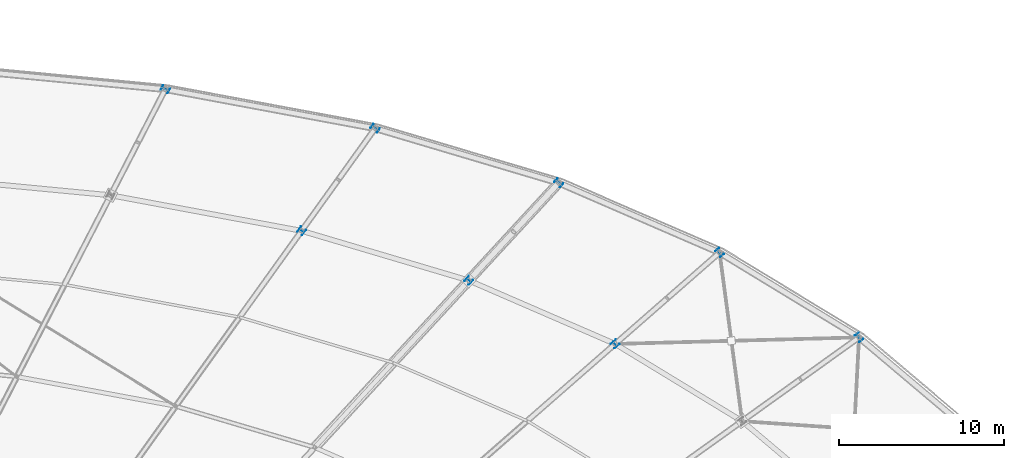
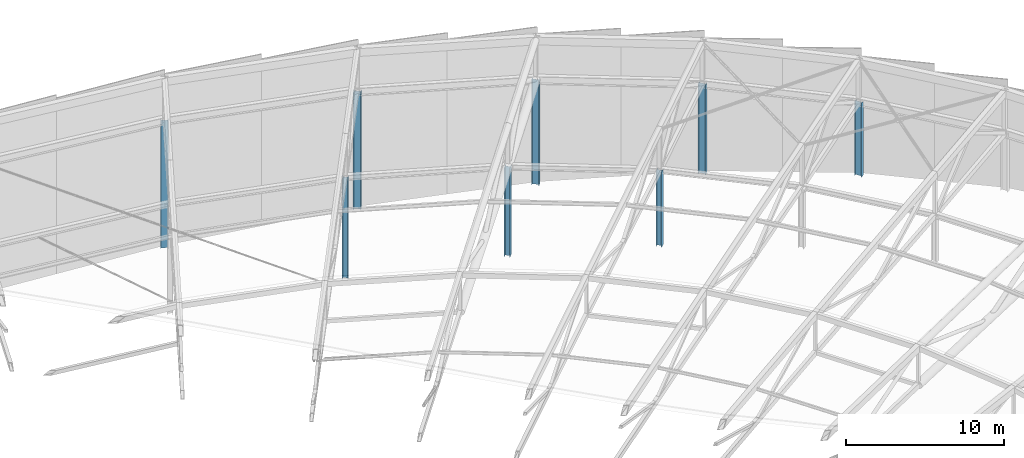
# One storey, part 13 of 143: 8 columns.
"""IFC4 building model written with IfcOpenShell, lengths in metres."""

from ifc_helpers import new_model, si_unit, direction, frame, origin, origin_2d, place, context, subcontext, project, spatial, i_section, extrude, material, material_profile, profile_set, type_object, element, save


model = new_model("IFC4")

# Units and contexts
model_context = context("Model", 3, precision=1e-05, world=origin(), true_north=direction((0.0, 1.0)))
body_context = subcontext(model_context, "Body", "Model", "MODEL_VIEW")
ifc_project = project(units=[si_unit("LENGTHUNIT", "METRE"), si_unit("AREAUNIT", "SQUARE_METRE"), si_unit("VOLUMEUNIT", "CUBIC_METRE"), si_unit("PLANEANGLEUNIT", "RADIAN"), si_unit("MASSUNIT", "GRAM", prefix="KILO")], contexts=[model_context])

# Site, building, storey
site_placement = place(None, origin())
site = spatial("IfcSite", under=ifc_project, at=site_placement, CompositionType="ELEMENT")
building_placement = place(site_placement, origin())
building = spatial("IfcBuilding", under=site, at=building_placement, Name="Mphavela Belvedere Stadium", CompositionType="ELEMENT")
storey_placement = place(building_placement, frame((0.0, 0.0, 28.800048828125)))
storey = spatial("IfcBuildingStorey", under=building, at=storey_placement, Name="RF", CompositionType="ELEMENT", Elevation=28.800048828125)

# Columns
ifc_material_1 = material(Name="Steel S355", Category="steel")
ifc_material_profile_1 = material_profile(ifc_material_1, i_section(OverallWidth=0.39501953125, OverallDepth=0.3798828125, WebThickness=0.0166015625, FlangeThickness=0.02587890625, at=origin_2d()), Name="HD 400x237")
ifc_profile_set_1 = profile_set([ifc_material_profile_1], Name="Steel S355")
column_type_1 = type_object("IfcColumnType", Name="COL-STEEL-HD400", PredefinedType="COLUMN", material=ifc_profile_set_1)
column_1_placement = place(storey_placement, frame((179.360107421875, 143.31689453125, 0.0), z_axis=(0.0, 0.0, 1.0), x_axis=(0.752529860433, 0.658558128912, 0.0)))
element("IfcColumn", 1, at=column_1_placement, inside=storey, type_object=column_type_1, Name="Roof truss inner support column RF R3-08", PredefinedType="COLUMN", context=body_context, shape_type="SweptSolid", body=[
    extrude(i_section(OverallWidth=0.39501953125, OverallDepth=0.3798828125, WebThickness=0.0166015625, FlangeThickness=0.02587890625, at=origin_2d()), origin(), (0.0, 0.0, 1.0), 5.832275390625),
])
column_2_placement = place(storey_placement, frame((170.476318359375, 147.16796875, 0.0), z_axis=(0.0, 0.0, 1.0), x_axis=(0.677903094969, 0.735151272753, 0.0)))
element("IfcColumn", 2, at=column_2_placement, inside=storey, type_object=column_type_1, Name="Roof truss inner support column RF R3-09", PredefinedType="COLUMN", context=body_context, shape_type="SweptSolid", body=[
    extrude(i_section(OverallWidth=0.39501953125, OverallDepth=0.3798828125, WebThickness=0.0166015625, FlangeThickness=0.02587890625, at=origin_2d()), origin(), (0.0, 0.0, 1.0), 6.88623046875),
])
column_3_placement = place(storey_placement, frame((160.337890625, 150.177490234375, 0.0), z_axis=(0.0, 0.0, 1.0), x_axis=(0.582974127943, 0.812490717577, 0.0)))
element("IfcColumn", 3, at=column_3_placement, inside=storey, type_object=column_type_1, Name="Roof truss inner support column RF R3-10", PredefinedType="COLUMN", context=body_context, shape_type="SweptSolid", body=[
    extrude(i_section(OverallWidth=0.39501953125, OverallDepth=0.3798828125, WebThickness=0.0166015625, FlangeThickness=0.02587890625, at=origin_2d()), origin(), (0.0, 0.0, 1.0), 7.791259765625),
])
ifc_material_2 = material(Name="Steel S355", Category="steel")
ifc_material_profile_2 = material_profile(ifc_material_2, i_section(OverallWidth=0.300048828125, OverallDepth=0.5, WebThickness=0.014404296875, FlangeThickness=0.028076171875, at=origin_2d()), Name="HEB 500")
ifc_profile_set_2 = profile_set([ifc_material_profile_2], Name="Steel S355")
column_type_2 = type_object("IfcColumnType", Name="COL-STEEL-HEB500", PredefinedType="COLUMN", material=ifc_profile_set_2)
column_4_placement = place(storey_placement, frame((194.155517578125, 143.714599609375, 0.0), z_axis=(0.0, 0.0, 1.0), x_axis=(0.812897512265, 0.582406760395, 0.0)))
element("IfcColumn", 4, at=column_4_placement, inside=storey, type_object=column_type_2, Name="Roof truss outer tie-down column RF R4-07", PredefinedType="COLUMN", context=body_context, shape_type="SweptSolid", body=[
    extrude(i_section(OverallWidth=0.300048828125, OverallDepth=0.5, WebThickness=0.014404296875, FlangeThickness=0.028076171875, at=origin_2d()), origin(), (0.0, 0.0, 1.0), 5.7109375),
])
column_5_placement = place(storey_placement, frame((185.6962890625, 148.86083984375, 0.0), z_axis=(0.0, 0.0, 1.0), x_axis=(0.752529860433, 0.658558128912, 0.0)))
element("IfcColumn", 5, at=column_5_placement, inside=storey, type_object=column_type_2, Name="Roof truss outer tie-down column RF R4-08", PredefinedType="COLUMN", context=body_context, shape_type="SweptSolid", body=[
    extrude(i_section(OverallWidth=0.300048828125, OverallDepth=0.5, WebThickness=0.014404296875, FlangeThickness=0.028076171875, at=origin_2d()), origin(), (0.0, 0.0, 1.0), 6.953369140625),
])
column_6_placement = place(storey_placement, frame((175.9375, 153.09130859375, 0.0), z_axis=(0.0, 0.0, 1.0), x_axis=(0.677903094969, 0.735151272753, 0.0)))
element("IfcColumn", 6, at=column_6_placement, inside=storey, type_object=column_type_2, Name="Roof truss outer tie-down column RF R4-09", PredefinedType="COLUMN", context=body_context, shape_type="SweptSolid", body=[
    extrude(i_section(OverallWidth=0.300048828125, OverallDepth=0.5, WebThickness=0.014404296875, FlangeThickness=0.028076171875, at=origin_2d()), origin(), (0.0, 0.0, 1.0), 8.11083984375),
])
column_7_placement = place(storey_placement, frame((164.80126953125, 156.39697265625, 0.0), z_axis=(0.0, 0.0, 1.0), x_axis=(0.582974127943, 0.812490717577, 0.0)))
element("IfcColumn", 7, at=column_7_placement, inside=storey, type_object=column_type_2, Name="Roof truss outer tie-down column RF R4-10", PredefinedType="COLUMN", context=body_context, shape_type="SweptSolid", body=[
    extrude(i_section(OverallWidth=0.300048828125, OverallDepth=0.5, WebThickness=0.014404296875, FlangeThickness=0.028076171875, at=origin_2d()), origin(), (0.0, 0.0, 1.0), 9.10498046875),
])
column_8_placement = place(storey_placement, frame((152.07275390625, 158.767333984375, 0.0), z_axis=(0.0, 0.0, 1.0), x_axis=(0.458959712465, 0.888457079624, 0.0)))
element("IfcColumn", 8, at=column_8_placement, inside=storey, type_object=column_type_2, Name="Roof truss outer tie-down column RF R4-11", PredefinedType="COLUMN", context=body_context, shape_type="SweptSolid", body=[
    extrude(i_section(OverallWidth=0.300048828125, OverallDepth=0.5, WebThickness=0.014404296875, FlangeThickness=0.028076171875, at=origin_2d()), origin(), (0.0, 0.0, 1.0), 9.867919921875),
])

save(model, "model.ifc")
